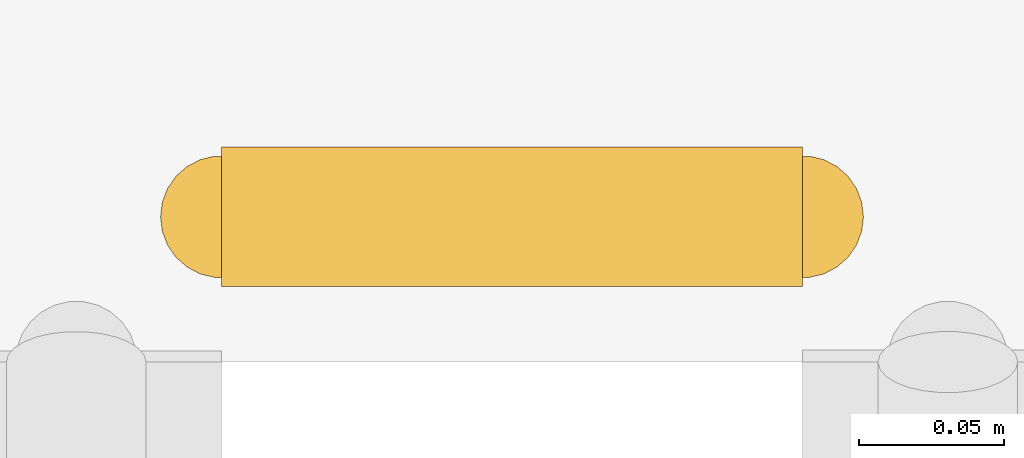
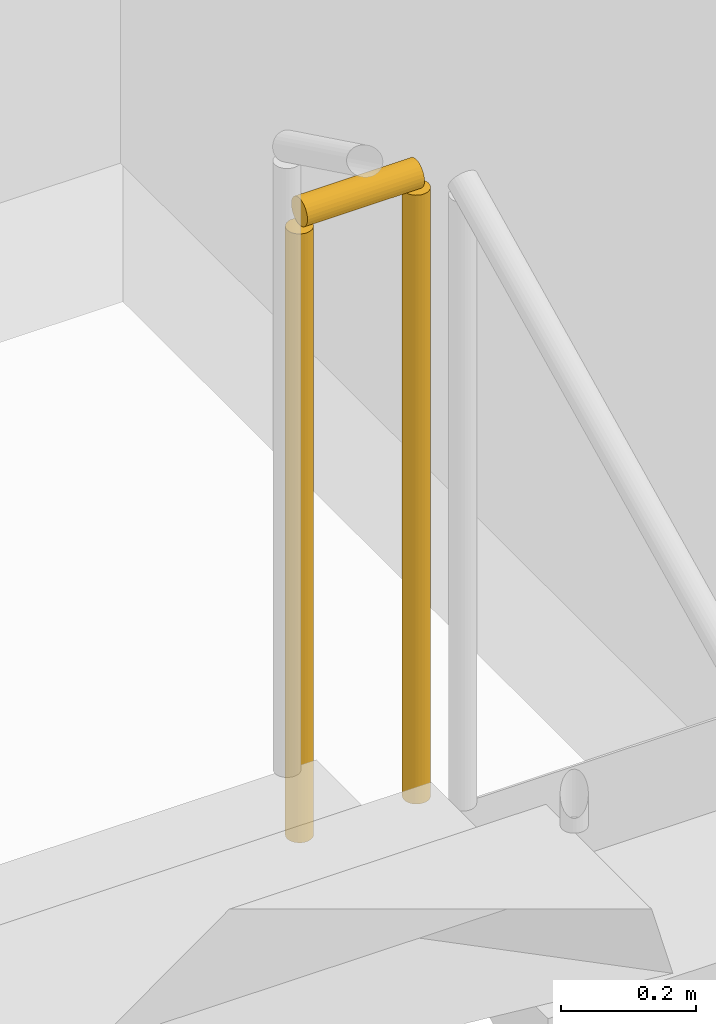
# One storey, part 35 of 36: 1 railing.
"""IFC4 building model written with IfcOpenShell, lengths in metres."""

from ifc_helpers import new_model, si_unit, direction, frame, origin, origin_2d, place, context, subcontext, project, spatial, circle, extrude, material, type_object, element, save


model = new_model("IFC4")

# Units and contexts
model_context = context("Model", 3, precision=1e-05, world=origin(), true_north=direction((0.0, 1.0)))
body_context = subcontext(model_context, "Body", "Model", "MODEL_VIEW")
ifc_project = project(units=[si_unit("LENGTHUNIT", "METRE"), si_unit("AREAUNIT", "SQUARE_METRE"), si_unit("VOLUMEUNIT", "CUBIC_METRE"), si_unit("PLANEANGLEUNIT", "RADIAN"), si_unit("MASSUNIT", "GRAM", prefix="KILO")], contexts=[model_context])

# Site, building, storey
site_placement = place(None, origin())
site = spatial("IfcSite", under=ifc_project, at=site_placement, CompositionType="ELEMENT")
building_placement = place(site_placement, origin())
building = spatial("IfcBuilding", under=site, at=building_placement, Name="Nahalor Promenade Grand Hotel", CompositionType="ELEMENT")
storey_placement = place(building_placement, frame((0.0, 0.0, 174.550048828125)))
storey = spatial("IfcBuildingStorey", under=building, at=storey_placement, Name="L44", CompositionType="ELEMENT", Elevation=174.550048828125)

# Railing
ifc_material = material(Name="Steel S355JR", Category="steel")
railing_type = type_object("IfcRailingType", Name="Steel Stair Guardrail 1150 mm", PredefinedType="GUARDRAIL", material=ifc_material)
railing_placement = place(storey_placement, frame((5.699951171875, 11.550048828125, 1.824951171875)))
element("IfcRailing", 1, at=railing_placement, inside=storey, type_object=railing_type, Name="L44 ST1 stair guard 2", PredefinedType="GUARDRAIL", context=body_context, shape_type="SweptSolid", body=[
    extrude(circle(Radius=0.024048, at=origin_2d()), frame((0.0, 0.0, 1.1259765625), z_axis=(-1.0, 0.0, 0.0), x_axis=(0.0, -1.0, 0.0)), (0.0, 0.0, 1.0), 0.199951171875),
    extrude(circle(Radius=0.020996, at=origin_2d()), origin(), (0.0, 0.0, 1.0), 1.099853515625),
    extrude(circle(Radius=0.020996, at=origin_2d()), frame((-0.199951171875, 0.0, 0.0)), (0.0, 0.0, 1.0), 1.099853515625),
])

save(model, "model.ifc")
